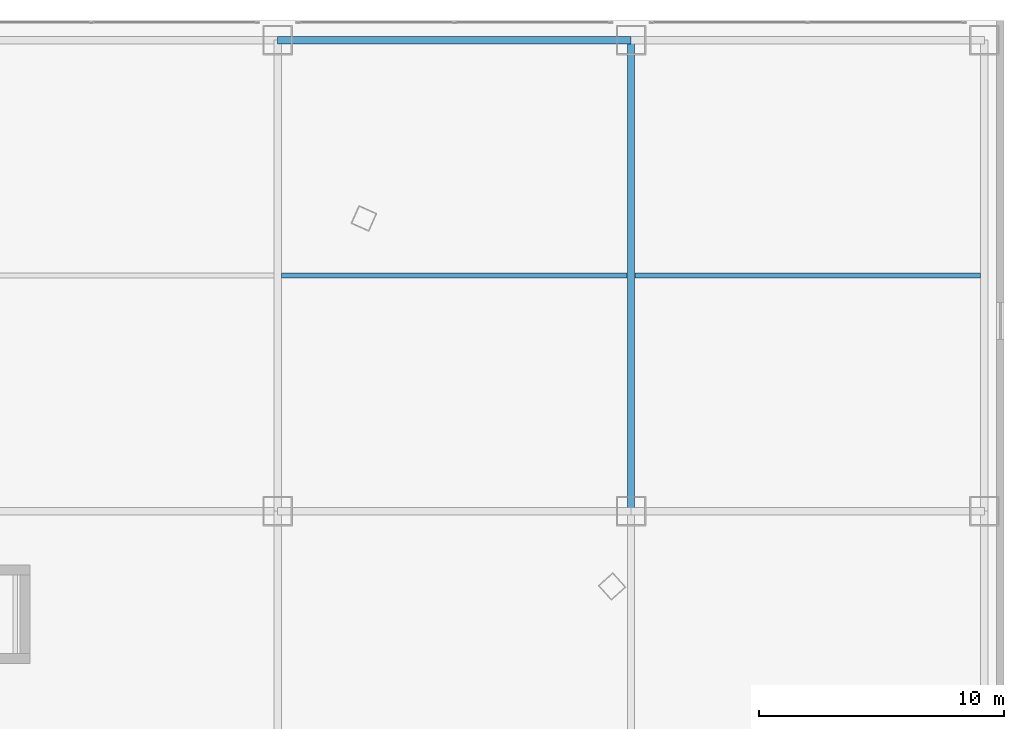
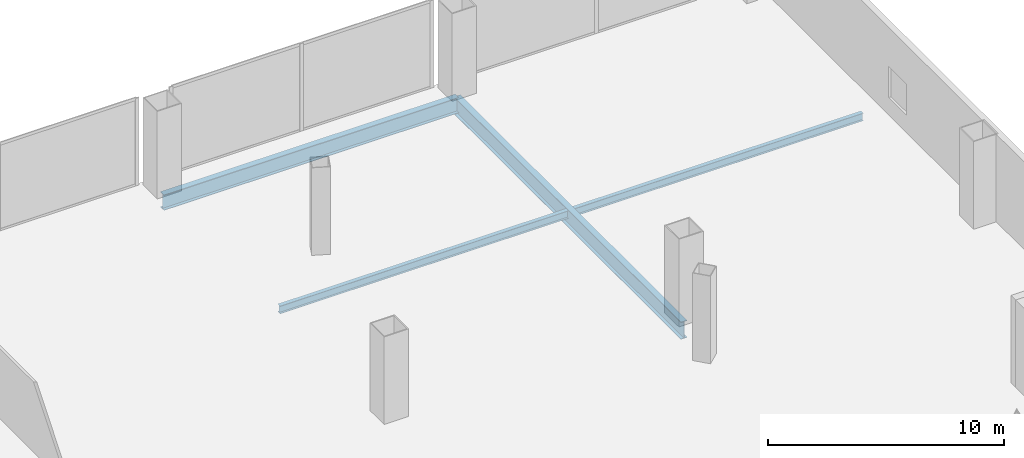
# One storey, part 27 of 40: 4 beams.
"""IFC4 building model written with IfcOpenShell, lengths in metres."""

from ifc_helpers import new_model, si_unit, direction, frame, origin, origin_2d, place, context, subcontext, project, spatial, i_section, extrude, source, transform, mapped, material, material_profile, profile_set, type_object, element, save


model = new_model("IFC4")

# Units and contexts
model_context = context("Model", 3, precision=1e-05, world=origin(), true_north=direction((0.0, 1.0)))
body_context = subcontext(model_context, "Body", "Model", "MODEL_VIEW")
ifc_project = project(units=[si_unit("LENGTHUNIT", "METRE"), si_unit("AREAUNIT", "SQUARE_METRE"), si_unit("VOLUMEUNIT", "CUBIC_METRE"), si_unit("PLANEANGLEUNIT", "RADIAN"), si_unit("MASSUNIT", "GRAM", prefix="KILO"), si_unit("THERMODYNAMICTEMPERATUREUNIT", "KELVIN"), si_unit("POWERUNIT", "WATT")], contexts=[model_context])

# Site, building, storey
site_placement = place(None, origin())
site = spatial("IfcSite", under=ifc_project, at=site_placement, CompositionType="ELEMENT")
building_placement = place(site_placement, origin())
building = spatial("IfcBuilding", under=site, at=building_placement, Name="Yunzhuo Pagoda Commons", CompositionType="ELEMENT")
storey_placement = place(building_placement, frame((0.0, 0.0, 14.39990234375)))
storey = spatial("IfcBuildingStorey", under=building, at=storey_placement, Name="L04", CompositionType="ELEMENT", Elevation=14.39990234375)

# Beams
ifc_material = material(Name="Structural steel Q355B", Category="steel")
ifc_material_profile_1 = material_profile(ifc_material, i_section(OverallWidth=0.300048828125, OverallDepth=0.800048828125, WebThickness=0.013916015625, FlangeThickness=0.02587890625, at=origin_2d()), Name="Structural steel Q355B")
ifc_profile_set_1 = profile_set([ifc_material_profile_1], Name="Structural steel Q355B")
beam_type_1 = type_object("IfcBeamType", Name="B-PD2 Beam HN 800x300x14x26", PredefinedType="BEAM", material=ifc_profile_set_1)
shared_shape_1 = source(origin(), body_context, "Body", "SweptSolid", [
    extrude(i_section(OverallWidth=0.300048828125, OverallDepth=0.800048828125, WebThickness=0.013916015625, FlangeThickness=0.02587890625, at=origin_2d()), origin(), (0.0, 0.0, 1.0), 14.400146484375),
])
beam_1_placement = place(storey_placement, frame((62.39990234375, 81.199951171875, -0.679931640625), z_axis=(1.0, 0.0, 0.0), x_axis=(0.0, 1.0, 0.0)))
element("IfcBeam", 1, at=beam_1_placement, inside=storey, type_object=beam_type_1, Name="L04 podium girder EW 5.4", PredefinedType="BEAM", context=body_context, shape_type="MappedRepresentation", body=[
    mapped(shared_shape_1, transform((0.0, 0.0, 0.0), scale=1.0)),
])
ifc_material_profile_2 = material_profile(ifc_material, i_section(OverallWidth=0.199951171875, OverallDepth=0.39990234375, WebThickness=0.008056640625, FlangeThickness=0.012939453125, at=origin_2d()), Name="Structural steel Q355B")
ifc_profile_set_2 = profile_set([ifc_material_profile_2], Name="Structural steel Q355B")
beam_type_2 = type_object("IfcBeamType", Name="B-JS1 Joist HN 400x200x8x13", PredefinedType="JOIST", material=ifc_profile_set_2)
shared_shape_2 = source(origin(), body_context, "Body", "SweptSolid", [
    extrude(i_section(OverallWidth=0.199951171875, OverallDepth=0.39990234375, WebThickness=0.008056640625, FlangeThickness=0.012939453125, at=origin_2d()), origin(), (0.0, 0.0, 1.0), 14.08984375),
])
beam_2_placement = place(storey_placement, frame((76.955078125, 71.60009765625, -0.47998046875), z_axis=(1.0, 0.0, 0.0), x_axis=(0.0, 1.0, 0.0)))
element("IfcBeam", 2, at=beam_2_placement, inside=storey, type_object=beam_type_2, Name="L04 podium composite joist 5.4", PredefinedType="JOIST", context=body_context, shape_type="MappedRepresentation", body=[
    mapped(shared_shape_2, transform((0.0, 0.0, 0.0), scale=1.0)),
])
ifc_material_profile_3 = material_profile(ifc_material, i_section(OverallWidth=0.300048828125, OverallDepth=0.89990234375, WebThickness=0.01611328125, FlangeThickness=0.028076171875, at=origin_2d()), Name="Structural steel Q355B")
ifc_profile_set_3 = profile_set([ifc_material_profile_3], Name="Structural steel Q355B")
beam_type_3 = type_object("IfcBeamType", Name="B-PD1 Beam HN 900x300x16x28", PredefinedType="BEAM", material=ifc_profile_set_3)
shared_shape_3 = source(origin(), body_context, "Body", "SweptSolid", [
    extrude(i_section(OverallWidth=0.300048828125, OverallDepth=0.89990234375, WebThickness=0.01611328125, FlangeThickness=0.028076171875, at=origin_2d()), origin(), (0.0, 0.0, 1.0), 19.199951171875),
])
beam_3_placement = place(storey_placement, frame((76.800048828125, 62.0, -0.72998046875), z_axis=(0.0, 1.0, 0.0), x_axis=(-1.0, 0.0, 0.0)))
element("IfcBeam", 3, at=beam_3_placement, inside=storey, type_object=beam_type_3, Name="L04 podium girder NS 5.4", PredefinedType="BEAM", context=body_context, shape_type="MappedRepresentation", body=[
    mapped(shared_shape_3, transform((0.0, 0.0, 0.0), scale=1.0)),
])
shared_shape_4 = source(origin(), body_context, "Body", "SweptSolid", [
    extrude(i_section(OverallWidth=0.199951171875, OverallDepth=0.39990234375, WebThickness=0.008056640625, FlangeThickness=0.012939453125, at=origin_2d()), origin(), (0.0, 0.0, 1.0), 14.09033203125),
])
beam_4_placement = place(storey_placement, frame((62.554931640625, 71.60009765625, -0.47998046875), z_axis=(1.0, 0.0, 0.0), x_axis=(0.0, 1.0, 0.0)))
element("IfcBeam", 4, at=beam_4_placement, inside=storey, type_object=beam_type_2, Name="L04 podium composite joist 4.4", PredefinedType="JOIST", context=body_context, shape_type="MappedRepresentation", body=[
    mapped(shared_shape_4, transform((0.0, 0.0, 0.0), scale=1.0)),
])

save(model, "model.ifc")
